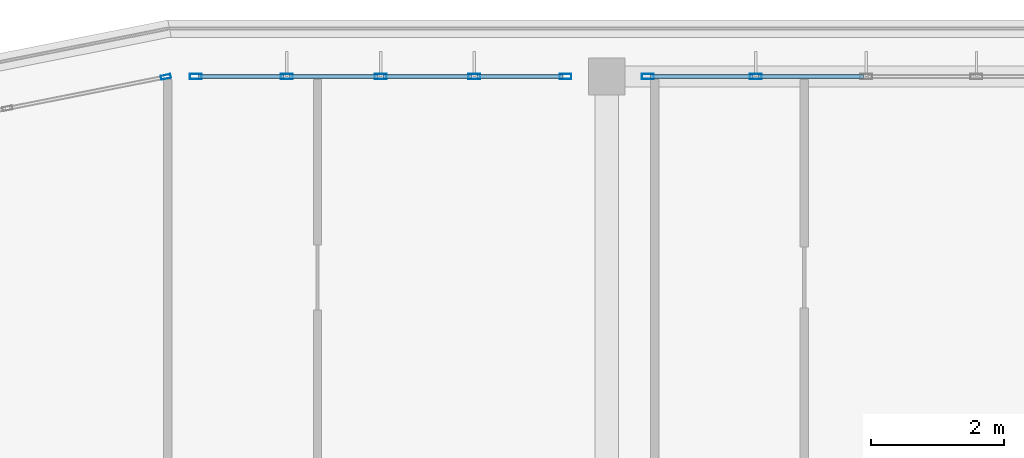
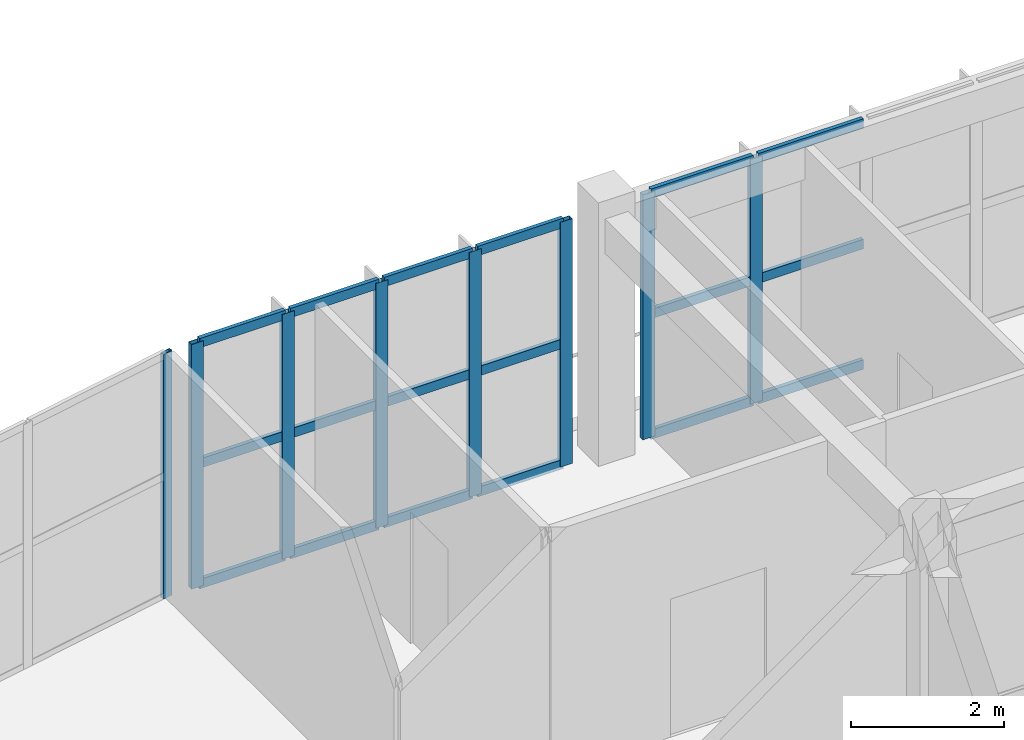
# One storey, part 9 of 33: 26 members, 3 elements without a shape of their own.
"""IFC4 building model written with IfcOpenShell, lengths in metres."""

from ifc_helpers import new_model, si_unit, direction, frame, origin, origin_2d, place, context, subcontext, project, spatial, hollow_rectangle, extrude, material, layer, layer_set, material_profile, profile_set, type_object, element, aggregate, save


model = new_model("IFC4")

# Units and contexts
model_context = context("Model", 3, precision=1e-05, world=origin(), true_north=direction((0.0, 1.0)))
body_context = subcontext(model_context, "Body", "Model", "MODEL_VIEW")
ifc_project = project(units=[si_unit("LENGTHUNIT", "METRE"), si_unit("AREAUNIT", "SQUARE_METRE"), si_unit("VOLUMEUNIT", "CUBIC_METRE"), si_unit("PLANEANGLEUNIT", "RADIAN"), si_unit("MASSUNIT", "GRAM", prefix="KILO")], contexts=[model_context])

# Site, building, storey
site_placement = place(None, origin())
site = spatial("IfcSite", under=ifc_project, at=site_placement, CompositionType="ELEMENT")
building_placement = place(site_placement, origin())
building = spatial("IfcBuilding", under=site, at=building_placement, Name="Zizhar Promenade General Hospital", CompositionType="ELEMENT")
storey_placement = place(building_placement, frame((0.0, 0.0, 39.0)))
storey = spatial("IfcBuildingStorey", under=building, at=storey_placement, Name="L09", CompositionType="ELEMENT", Elevation=39.0)

# Curtain wall, member
ifc_material_1 = material(Name="Anodised aluminium 6063-T6 and low-E glass", Category="aluminium")
ifc_layer_1 = layer(ifc_material_1, 0.159912109375)
ifc_layer_set_1 = layer_set([ifc_layer_1], Name="Anodised aluminium 6063-T6 and low-E glass")
curtain_wall_type_1 = type_object("IfcCurtainWallType", Name="CW-WARD-ARC", PredefinedType="NOTDEFINED", material=ifc_layer_set_1)
curtain_wall_1_placement = place(storey_placement, origin())
curtain_wall_1 = element("IfcCurtainWall", 1, at=curtain_wall_1_placement, inside=storey, type_object=curtain_wall_type_1, Name="Ward Semicircular End Glazing L09-10", PredefinedType="NOTDEFINED")
ifc_material_2 = material(Name="Anodised aluminium 6063-T6", Category="aluminium")
ifc_material_profile_1 = material_profile(ifc_material_2, hollow_rectangle(XDim=0.06005859375, YDim=0.14990234375, WallThickness=0.00390625, at=origin_2d()))
ifc_profile_set_1 = profile_set([ifc_material_profile_1], Name="Anodised aluminium 6063-T6")
member_type_1 = type_object("IfcMemberType", Name="CWM-ALU-150x60", PredefinedType="MULLION", material=ifc_profile_set_1)
member_1_placement = place(storey_placement, frame((55.7705078125, 25.194091796875, 0.0), z_axis=(0.0, 0.0, 1.0), x_axis=(-0.195087259275, 0.980785889615, 0.0)))
member_1 = element("IfcMember", 2, at=member_1_placement, type_object=member_type_1, Name="CW-12 mullion 3", PredefinedType="MULLION", context=body_context, shape_type="SweptSolid", body=[
    extrude(hollow_rectangle(XDim=0.06005859375, YDim=0.14990234375, WallThickness=0.00390625, at=origin_2d()), origin(), (0.0, 0.0, 1.0), 3.89990234375),
])
aggregate(curtain_wall_1, [member_1])

# Curtain wall, members
ifc_material_3 = material(Name="Anodised aluminium 6063-T6 and low-E glass", Category="aluminium")
ifc_layer_2 = layer(ifc_material_3, 0.159912109375)
ifc_layer_set_2 = layer_set([ifc_layer_2], Name="Anodised aluminium 6063-T6 and low-E glass")
curtain_wall_type_2 = type_object("IfcCurtainWallType", Name="CW-WARD-RIB", PredefinedType="NOTDEFINED", material=ifc_layer_set_2)
curtain_wall_2_placement = place(storey_placement, origin())
curtain_wall_2 = element("IfcCurtainWall", 3, at=curtain_wall_2_placement, inside=storey, type_object=curtain_wall_type_2, Name="Ward Ribbon Curtain Wall L09-8-0", PredefinedType="NOTDEFINED")
ifc_material_4 = material(Name="Anodised aluminium 6063-T6", Category="aluminium")
ifc_material_profile_2 = material_profile(ifc_material_4, hollow_rectangle(XDim=0.080078125, YDim=0.179931640625, WallThickness=0.0048828125, at=origin_2d()))
ifc_profile_set_2 = profile_set([ifc_material_profile_2], Name="Anodised aluminium 6063-T6")
member_type_2 = type_object("IfcMemberType", Name="CWM-ALU-180x80", PredefinedType="MULLION", material=ifc_profile_set_2)
member_2_placement = place(storey_placement, frame((56.219970703125, 25.199951171875, 0.0), z_axis=(0.0, 0.0, 1.0), x_axis=(0.0, 1.0, 0.0)))
member_2 = element("IfcMember", 4, at=member_2_placement, type_object=member_type_2, Name="CW-13 mullion 1", PredefinedType="MULLION", context=body_context, shape_type="SweptSolid", body=[
    extrude(hollow_rectangle(XDim=0.080078125, YDim=0.179931640625, WallThickness=0.0048828125, at=origin_2d()), origin(), (0.0, 0.0, 1.0), 3.89990234375),
])
member_3_placement = place(storey_placement, frame((57.590087890625, 25.199951171875, 0.0), z_axis=(0.0, 0.0, 1.0), x_axis=(0.0, 1.0, 0.0)))
member_3 = element("IfcMember", 5, at=member_3_placement, type_object=member_type_2, Name="CW-13 mullion 2", PredefinedType="MULLION", context=body_context, shape_type="SweptSolid", body=[
    extrude(hollow_rectangle(XDim=0.080078125, YDim=0.179931640625, WallThickness=0.0048828125, at=origin_2d()), origin(), (0.0, 0.0, 1.0), 3.89990234375),
])
member_4_placement = place(storey_placement, frame((59.0, 25.199951171875, 0.0), z_axis=(0.0, 0.0, 1.0), x_axis=(0.0, 1.0, 0.0)))
member_4 = element("IfcMember", 6, at=member_4_placement, type_object=member_type_2, Name="CW-13 mullion 3", PredefinedType="MULLION", context=body_context, shape_type="SweptSolid", body=[
    extrude(hollow_rectangle(XDim=0.080078125, YDim=0.179931640625, WallThickness=0.0048828125, at=origin_2d()), origin(), (0.0, 0.0, 1.0), 3.89990234375),
])
member_5_placement = place(storey_placement, frame((60.409912109375, 25.199951171875, 0.0), z_axis=(0.0, 0.0, 1.0), x_axis=(0.0, 1.0, 0.0)))
member_5 = element("IfcMember", 7, at=member_5_placement, type_object=member_type_2, Name="CW-13 mullion 4", PredefinedType="MULLION", context=body_context, shape_type="SweptSolid", body=[
    extrude(hollow_rectangle(XDim=0.080078125, YDim=0.179931640625, WallThickness=0.0048828125, at=origin_2d()), origin(), (0.0, 0.0, 1.0), 3.89990234375),
])
member_6_placement = place(storey_placement, frame((61.780029296875, 25.199951171875, 0.0), z_axis=(0.0, 0.0, 1.0), x_axis=(0.0, 1.0, 0.0)))
member_6 = element("IfcMember", 8, at=member_6_placement, type_object=member_type_2, Name="CW-13 mullion 5", PredefinedType="MULLION", context=body_context, shape_type="SweptSolid", body=[
    extrude(hollow_rectangle(XDim=0.080078125, YDim=0.179931640625, WallThickness=0.0048828125, at=origin_2d()), origin(), (0.0, 0.0, 1.0), 3.89990234375),
])

curtain_wall_3_placement = place(storey_placement, origin())
curtain_wall_3 = element("IfcCurtainWall", 9, at=curtain_wall_3_placement, inside=storey, type_object=curtain_wall_type_2, Name="Ward Ribbon Curtain Wall L09-8-1", PredefinedType="NOTDEFINED")
member_7_placement = place(storey_placement, frame((63.02001953125, 25.199951171875, 0.0), z_axis=(0.0, 0.0, 1.0), x_axis=(0.0, 1.0, 0.0)))
member_7 = element("IfcMember", 10, at=member_7_placement, type_object=member_type_2, Name="CW-13 mullion 1", PredefinedType="MULLION", context=body_context, shape_type="SweptSolid", body=[
    extrude(hollow_rectangle(XDim=0.080078125, YDim=0.179931640625, WallThickness=0.0048828125, at=origin_2d()), origin(), (0.0, 0.0, 1.0), 3.89990234375),
])
member_8_placement = place(storey_placement, frame((64.639892578125, 25.199951171875, 0.0), z_axis=(0.0, 0.0, 1.0), x_axis=(0.0, 1.0, 0.0)))
member_8 = element("IfcMember", 11, at=member_8_placement, type_object=member_type_2, Name="CW-13 mullion 2", PredefinedType="MULLION", context=body_context, shape_type="SweptSolid", body=[
    extrude(hollow_rectangle(XDim=0.080078125, YDim=0.179931640625, WallThickness=0.0048828125, at=origin_2d()), origin(), (0.0, 0.0, 1.0), 3.89990234375),
])

# Member
ifc_material_5 = material(Name="Anodised aluminium 6063-T6", Category="aluminium")
ifc_material_profile_3 = material_profile(ifc_material_5, hollow_rectangle(XDim=0.06005859375, YDim=0.14990234375, WallThickness=0.00390625, at=origin_2d()))
ifc_profile_set_3 = profile_set([ifc_material_profile_3], Name="Anodised aluminium 6063-T6")
member_type_3 = type_object("IfcMemberType", Name="CWT-ALU-150x60", PredefinedType="USERDEFINED", material=ifc_profile_set_3)
member_9_placement = place(storey_placement, frame((56.260009765625, 25.199951171875, 0.030029296875), z_axis=(1.0, 0.0, 0.0), x_axis=(0.0, 1.0, 0.0)))
member_9 = element("IfcMember", 12, at=member_9_placement, type_object=member_type_3, Name="CW-13 transom 1.1", ObjectType="TRANSOM", PredefinedType="USERDEFINED", context=body_context, shape_type="SweptSolid", body=[
    extrude(hollow_rectangle(XDim=0.06005859375, YDim=0.14990234375, WallThickness=0.00390625, at=origin_2d()), origin(), (0.0, 0.0, 1.0), 1.2900390625),
])

member_10_placement = place(storey_placement, frame((56.260009765625, 25.199951171875, 1.949951171875), z_axis=(1.0, 0.0, 0.0), x_axis=(0.0, 1.0, 0.0)))
member_10 = element("IfcMember", 13, at=member_10_placement, type_object=member_type_3, Name="CW-13 transom 1.2", ObjectType="TRANSOM", PredefinedType="USERDEFINED", context=body_context, shape_type="SweptSolid", body=[
    extrude(hollow_rectangle(XDim=0.06005859375, YDim=0.14990234375, WallThickness=0.00390625, at=origin_2d()), origin(), (0.0, 0.0, 1.0), 1.2900390625),
])

member_11_placement = place(storey_placement, frame((56.260009765625, 25.199951171875, 3.8701171875), z_axis=(1.0, 0.0, 0.0), x_axis=(0.0, 1.0, 0.0)))
member_11 = element("IfcMember", 14, at=member_11_placement, type_object=member_type_3, Name="CW-13 transom 1.3", ObjectType="TRANSOM", PredefinedType="USERDEFINED", context=body_context, shape_type="SweptSolid", body=[
    extrude(hollow_rectangle(XDim=0.06005859375, YDim=0.14990234375, WallThickness=0.00390625, at=origin_2d()), origin(), (0.0, 0.0, 1.0), 1.2900390625),
])

member_12_placement = place(storey_placement, frame((57.6298828125, 25.199951171875, 0.030029296875), z_axis=(1.0, 0.0, 0.0), x_axis=(0.0, 1.0, 0.0)))
member_12 = element("IfcMember", 15, at=member_12_placement, type_object=member_type_3, Name="CW-13 transom 2.1", ObjectType="TRANSOM", PredefinedType="USERDEFINED", context=body_context, shape_type="SweptSolid", body=[
    extrude(hollow_rectangle(XDim=0.06005859375, YDim=0.14990234375, WallThickness=0.00390625, at=origin_2d()), origin(), (0.0, 0.0, 1.0), 1.330078125),
])

member_13_placement = place(storey_placement, frame((57.6298828125, 25.199951171875, 1.949951171875), z_axis=(1.0, 0.0, 0.0), x_axis=(0.0, 1.0, 0.0)))
member_13 = element("IfcMember", 16, at=member_13_placement, type_object=member_type_3, Name="CW-13 transom 2.2", ObjectType="TRANSOM", PredefinedType="USERDEFINED", context=body_context, shape_type="SweptSolid", body=[
    extrude(hollow_rectangle(XDim=0.06005859375, YDim=0.14990234375, WallThickness=0.00390625, at=origin_2d()), origin(), (0.0, 0.0, 1.0), 1.330078125),
])

member_14_placement = place(storey_placement, frame((57.6298828125, 25.199951171875, 3.8701171875), z_axis=(1.0, 0.0, 0.0), x_axis=(0.0, 1.0, 0.0)))
member_14 = element("IfcMember", 17, at=member_14_placement, type_object=member_type_3, Name="CW-13 transom 2.3", ObjectType="TRANSOM", PredefinedType="USERDEFINED", context=body_context, shape_type="SweptSolid", body=[
    extrude(hollow_rectangle(XDim=0.06005859375, YDim=0.14990234375, WallThickness=0.00390625, at=origin_2d()), origin(), (0.0, 0.0, 1.0), 1.330078125),
])

member_15_placement = place(storey_placement, frame((59.0400390625, 25.199951171875, 0.030029296875), z_axis=(1.0, 0.0, 0.0), x_axis=(0.0, 1.0, 0.0)))
member_15 = element("IfcMember", 18, at=member_15_placement, type_object=member_type_3, Name="CW-13 transom 3.1", ObjectType="TRANSOM", PredefinedType="USERDEFINED", context=body_context, shape_type="SweptSolid", body=[
    extrude(hollow_rectangle(XDim=0.06005859375, YDim=0.14990234375, WallThickness=0.00390625, at=origin_2d()), origin(), (0.0, 0.0, 1.0), 1.330078125),
])

member_16_placement = place(storey_placement, frame((59.0400390625, 25.199951171875, 1.949951171875), z_axis=(1.0, 0.0, 0.0), x_axis=(0.0, 1.0, 0.0)))
member_16 = element("IfcMember", 19, at=member_16_placement, type_object=member_type_3, Name="CW-13 transom 3.2", ObjectType="TRANSOM", PredefinedType="USERDEFINED", context=body_context, shape_type="SweptSolid", body=[
    extrude(hollow_rectangle(XDim=0.06005859375, YDim=0.14990234375, WallThickness=0.00390625, at=origin_2d()), origin(), (0.0, 0.0, 1.0), 1.330078125),
])

member_17_placement = place(storey_placement, frame((59.0400390625, 25.199951171875, 3.8701171875), z_axis=(1.0, 0.0, 0.0), x_axis=(0.0, 1.0, 0.0)))
member_17 = element("IfcMember", 20, at=member_17_placement, type_object=member_type_3, Name="CW-13 transom 3.3", ObjectType="TRANSOM", PredefinedType="USERDEFINED", context=body_context, shape_type="SweptSolid", body=[
    extrude(hollow_rectangle(XDim=0.06005859375, YDim=0.14990234375, WallThickness=0.00390625, at=origin_2d()), origin(), (0.0, 0.0, 1.0), 1.330078125),
])

member_18_placement = place(storey_placement, frame((60.449951171875, 25.199951171875, 0.030029296875), z_axis=(1.0, 0.0, 0.0), x_axis=(0.0, 1.0, 0.0)))
member_18 = element("IfcMember", 21, at=member_18_placement, type_object=member_type_3, Name="CW-13 transom 4.1", ObjectType="TRANSOM", PredefinedType="USERDEFINED", context=body_context, shape_type="SweptSolid", body=[
    extrude(hollow_rectangle(XDim=0.06005859375, YDim=0.14990234375, WallThickness=0.00390625, at=origin_2d()), origin(), (0.0, 0.0, 1.0), 1.2900390625),
])

member_19_placement = place(storey_placement, frame((60.449951171875, 25.199951171875, 1.949951171875), z_axis=(1.0, 0.0, 0.0), x_axis=(0.0, 1.0, 0.0)))
member_19 = element("IfcMember", 22, at=member_19_placement, type_object=member_type_3, Name="CW-13 transom 4.2", ObjectType="TRANSOM", PredefinedType="USERDEFINED", context=body_context, shape_type="SweptSolid", body=[
    extrude(hollow_rectangle(XDim=0.06005859375, YDim=0.14990234375, WallThickness=0.00390625, at=origin_2d()), origin(), (0.0, 0.0, 1.0), 1.2900390625),
])

member_20_placement = place(storey_placement, frame((60.449951171875, 25.199951171875, 3.8701171875), z_axis=(1.0, 0.0, 0.0), x_axis=(0.0, 1.0, 0.0)))
member_20 = element("IfcMember", 23, at=member_20_placement, type_object=member_type_3, Name="CW-13 transom 4.3", ObjectType="TRANSOM", PredefinedType="USERDEFINED", context=body_context, shape_type="SweptSolid", body=[
    extrude(hollow_rectangle(XDim=0.06005859375, YDim=0.14990234375, WallThickness=0.00390625, at=origin_2d()), origin(), (0.0, 0.0, 1.0), 1.2900390625),
])

aggregate(curtain_wall_2, [member_2, member_3, member_4, member_5, member_6, member_9, member_10, member_11, member_12, member_13, member_14, member_15, member_16, member_17, member_18, member_19, member_20])

member_21_placement = place(storey_placement, frame((63.06005859375, 25.199951171875, 0.030029296875), z_axis=(1.0, 0.0, 0.0), x_axis=(0.0, 1.0, 0.0)))
member_21 = element("IfcMember", 24, at=member_21_placement, type_object=member_type_3, Name="CW-13 transom 1.1", ObjectType="TRANSOM", PredefinedType="USERDEFINED", context=body_context, shape_type="SweptSolid", body=[
    extrude(hollow_rectangle(XDim=0.06005859375, YDim=0.14990234375, WallThickness=0.00390625, at=origin_2d()), origin(), (0.0, 0.0, 1.0), 1.5400390625),
])

member_22_placement = place(storey_placement, frame((63.06005859375, 25.199951171875, 1.949951171875), z_axis=(1.0, 0.0, 0.0), x_axis=(0.0, 1.0, 0.0)))
member_22 = element("IfcMember", 25, at=member_22_placement, type_object=member_type_3, Name="CW-13 transom 1.2", ObjectType="TRANSOM", PredefinedType="USERDEFINED", context=body_context, shape_type="SweptSolid", body=[
    extrude(hollow_rectangle(XDim=0.06005859375, YDim=0.14990234375, WallThickness=0.00390625, at=origin_2d()), origin(), (0.0, 0.0, 1.0), 1.5400390625),
])

member_23_placement = place(storey_placement, frame((63.06005859375, 25.199951171875, 3.8701171875), z_axis=(1.0, 0.0, 0.0), x_axis=(0.0, 1.0, 0.0)))
member_23 = element("IfcMember", 26, at=member_23_placement, type_object=member_type_3, Name="CW-13 transom 1.3", ObjectType="TRANSOM", PredefinedType="USERDEFINED", context=body_context, shape_type="SweptSolid", body=[
    extrude(hollow_rectangle(XDim=0.06005859375, YDim=0.14990234375, WallThickness=0.00390625, at=origin_2d()), origin(), (0.0, 0.0, 1.0), 1.5400390625),
])

member_24_placement = place(storey_placement, frame((64.679931640625, 25.199951171875, 0.030029296875), z_axis=(1.0, 0.0, 0.0), x_axis=(0.0, 1.0, 0.0)))
member_24 = element("IfcMember", 27, at=member_24_placement, type_object=member_type_3, Name="CW-13 transom 2.1", ObjectType="TRANSOM", PredefinedType="USERDEFINED", context=body_context, shape_type="SweptSolid", body=[
    extrude(hollow_rectangle(XDim=0.06005859375, YDim=0.14990234375, WallThickness=0.00390625, at=origin_2d()), origin(), (0.0, 0.0, 1.0), 1.580078125),
])

member_25_placement = place(storey_placement, frame((64.679931640625, 25.199951171875, 1.949951171875), z_axis=(1.0, 0.0, 0.0), x_axis=(0.0, 1.0, 0.0)))
member_25 = element("IfcMember", 28, at=member_25_placement, type_object=member_type_3, Name="CW-13 transom 2.2", ObjectType="TRANSOM", PredefinedType="USERDEFINED", context=body_context, shape_type="SweptSolid", body=[
    extrude(hollow_rectangle(XDim=0.06005859375, YDim=0.14990234375, WallThickness=0.00390625, at=origin_2d()), origin(), (0.0, 0.0, 1.0), 1.580078125),
])

member_26_placement = place(storey_placement, frame((64.679931640625, 25.199951171875, 3.8701171875), z_axis=(1.0, 0.0, 0.0), x_axis=(0.0, 1.0, 0.0)))
member_26 = element("IfcMember", 29, at=member_26_placement, type_object=member_type_3, Name="CW-13 transom 2.3", ObjectType="TRANSOM", PredefinedType="USERDEFINED", context=body_context, shape_type="SweptSolid", body=[
    extrude(hollow_rectangle(XDim=0.06005859375, YDim=0.14990234375, WallThickness=0.00390625, at=origin_2d()), origin(), (0.0, 0.0, 1.0), 1.580078125),
])

aggregate(curtain_wall_3, [member_7, member_8, member_21, member_22, member_23, member_24, member_25, member_26])

save(model, "model.ifc")
